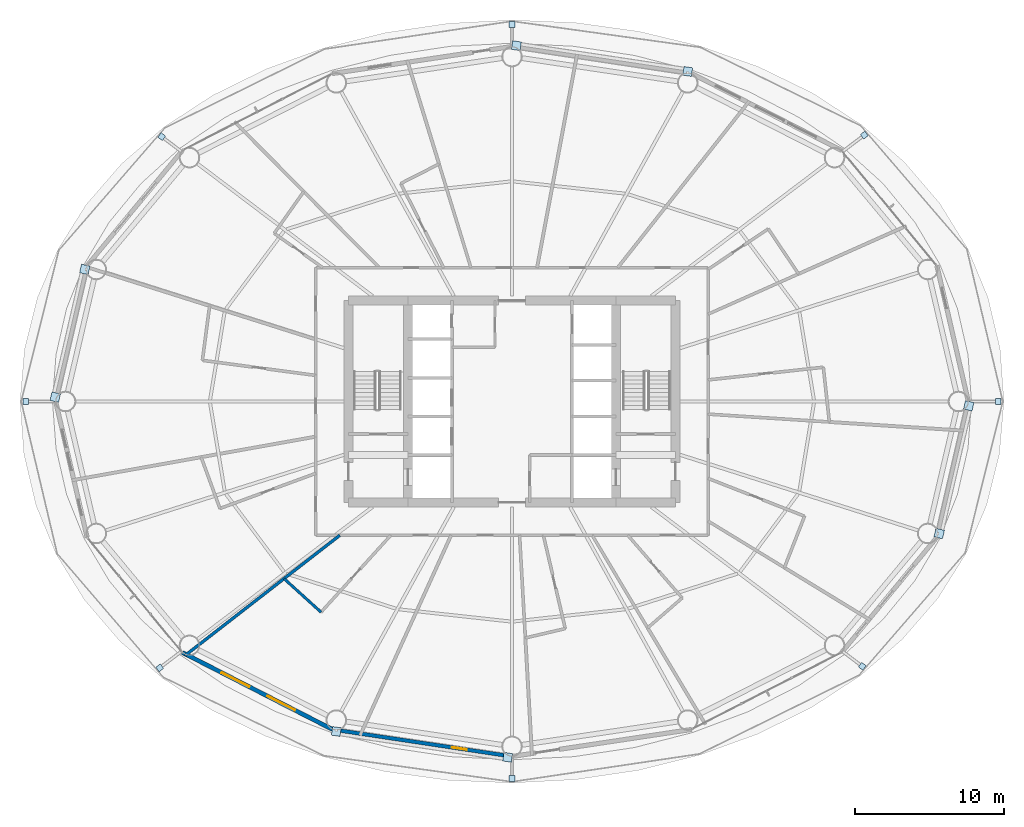
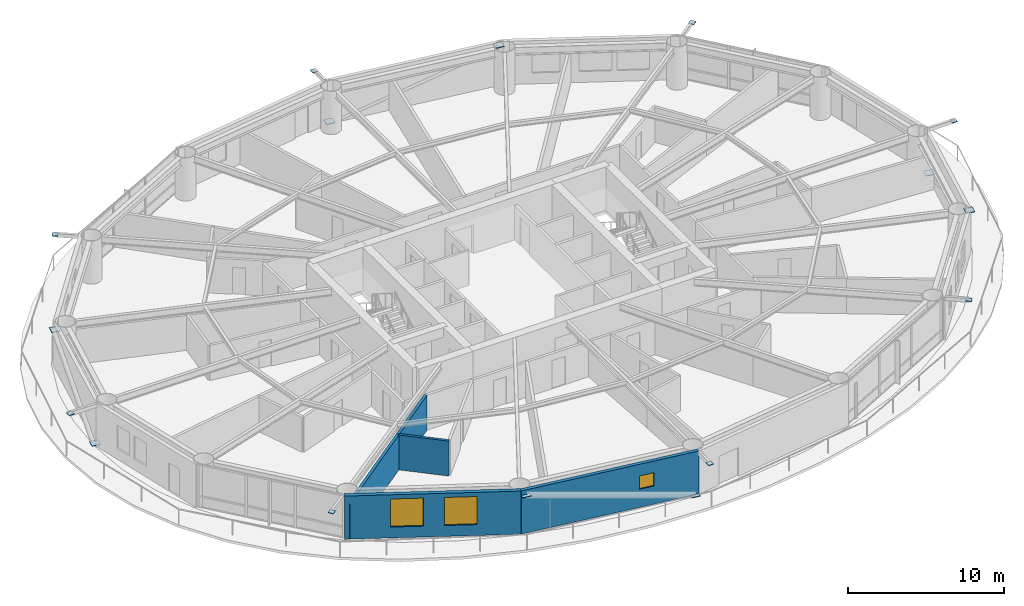
# One storey, part 19 of 26: 16 plates, 4 walls, 3 windows, 3 openings.
"""IFC4 building model written with IfcOpenShell, lengths in metres."""

from ifc_helpers import new_model, si_unit, direction, frame, frame_2d, origin, origin_2d, place, context, subcontext, project, spatial, rectangle, extrude, material, layer, layer_set, type_object, element, fill, save


model = new_model("IFC4")

# Units and contexts
model_context = context("Model", 3, precision=1e-05, world=origin(), true_north=direction((0.0, 1.0)))
body_context = subcontext(model_context, "Body", "Model", "MODEL_VIEW")
ifc_project = project(units=[si_unit("LENGTHUNIT", "METRE"), si_unit("AREAUNIT", "SQUARE_METRE"), si_unit("VOLUMEUNIT", "CUBIC_METRE"), si_unit("PLANEANGLEUNIT", "RADIAN"), si_unit("MASSUNIT", "GRAM", prefix="KILO")], contexts=[model_context])

# Site, building, storey
site_placement = place(None, origin())
site = spatial("IfcSite", under=ifc_project, at=site_placement, CompositionType="ELEMENT")
building_placement = place(site_placement, origin())
building = spatial("IfcBuilding", under=site, at=building_placement, Name="Sarneth Arch Tower", CompositionType="ELEMENT")
storey_placement = place(building_placement, frame((0.0, 0.0, 57.0)))
storey = spatial("IfcBuildingStorey", under=building, at=storey_placement, Name="L13", CompositionType="ELEMENT", Elevation=57.0)

# Plates
ifc_material_1 = material(Name="Steel S355", Category="steel")
ifc_layer_1 = layer(ifc_material_1, 0.035888671875)
ifc_layer_set_1 = layer_set([ifc_layer_1], Name="Steel S355")
plate_type = type_object("IfcPlateType", Name="PLT-GUSSET-30", PredefinedType="SHEET", material=ifc_layer_set_1)
for number, where, z_axis, x_axis, name in (
    (1, (80.721435546875, 42.0, 3.2021484375), (0.0, 0.0, 1.0), (1.0, 0.0, 0.0), "Steel end cap plate GP-1"),
    (2, (71.69873046875, 59.918701171875, 3.2021484375), (0.0, 0.0, 1.0), (0.797689196331, 0.603068773902, 0.0), "Steel end cap plate GP-1"),
):
    element("IfcPlate", number, at=place(storey_placement, frame(where, z_axis=z_axis, x_axis=x_axis)), inside=storey, type_object=plate_type, Name=name, PredefinedType="SHEET", context=body_context, shape_type="SweptSolid", body=[
        extrude(rectangle(XDim=0.3798828125, YDim=0.3798828125, at=origin_2d()), origin(), (0.0, 0.0, 1.0), 0.035888671875),
    ])
for number, where, z_axis, x_axis, name in (
    (3, (48.296630859375, 65.935302734375, 0.001953125), (0.0, 0.0, 1.0), (-0.98883454203, 0.149017611339, 0.0), "Steel end cap plate GP-1"),
    (4, (59.819580078125, 64.19921875, 2.98876953125), (0.0, 0.0, 1.0), (-0.98883454203, 0.149017611339, 0.0), "Steel end cap plate GP-1"),
):
    element("IfcPlate", number, at=place(storey_placement, frame(where, z_axis=z_axis, x_axis=x_axis)), inside=storey, type_object=plate_type, Name=name, PredefinedType="SHEET", context=body_context, shape_type="SweptSolid", body=[
        extrude(rectangle(XDim=0.587890625, YDim=0.587890625, at=origin_2d()), origin(), (0.0, 0.0, 1.0), 0.035888671875),
    ])
for number, where, z_axis, x_axis, name in (
    (5, (48.0, 67.363525390625, 3.2021484375), (0.0, 0.0, 1.0), (0.0, 1.0, 0.0), "Steel end cap plate GP-1"),
    (6, (24.436767578125, 59.816162109375, 3.2021484375), (0.0, 0.0, 1.0), (-0.797689196331, 0.603068773902, 0.0), "Steel end cap plate GP-1"),
):
    element("IfcPlate", number, at=place(storey_placement, frame(where, z_axis=z_axis, x_axis=x_axis)), inside=storey, type_object=plate_type, Name=name, PredefinedType="SHEET", context=body_context, shape_type="SweptSolid", body=[
        extrude(rectangle(XDim=0.3798828125, YDim=0.3798828125, at=origin_2d()), origin(), (0.0, 0.0, 1.0), 0.035888671875),
    ])
for number, where, z_axis, x_axis, name in (
    (7, (17.274658203125, 42.292236328125, 0.001953125), (0.0, 0.0, 1.0), (-0.225291159947, -0.974291482694, 0.0), "Steel end cap plate GP-1"),
    (8, (19.260986328125, 50.884521484375, 2.98876953125), (0.0, 0.0, 1.0), (-0.225291159947, -0.974291482694, 0.0), "Steel end cap plate GP-1"),
):
    element("IfcPlate", number, at=place(storey_placement, frame(where, z_axis=z_axis, x_axis=x_axis)), inside=storey, type_object=plate_type, Name=name, PredefinedType="SHEET", context=body_context, shape_type="SweptSolid", body=[
        extrude(rectangle(XDim=0.587890625, YDim=0.587890625, at=origin_2d()), origin(), (0.0, 0.0, 1.0), 0.035888671875),
    ])
for number, where, z_axis, x_axis, name in (
    (9, (15.278564453125, 42.0, 3.2021484375), (0.0, 0.0, 1.0), (-1.0, 0.0, 0.0), "Steel end cap plate GP-1"),
    (10, (24.30126953125, 24.081298828125, 3.2021484375), (0.0, 0.0, 1.0), (-0.797689196331, -0.603068773902, 0.0), "Steel end cap plate GP-1"),
):
    element("IfcPlate", number, at=place(storey_placement, frame(where, z_axis=z_axis, x_axis=x_axis)), inside=storey, type_object=plate_type, Name=name, PredefinedType="SHEET", context=body_context, shape_type="SweptSolid", body=[
        extrude(rectangle(XDim=0.3798828125, YDim=0.3798828125, at=origin_2d()), origin(), (0.0, 0.0, 1.0), 0.035888671875),
    ])
for number, where, z_axis, x_axis, name in (
    (11, (47.703369140625, 18.064697265625, 0.001953125), (0.0, 0.0, 1.0), (0.98883454203, -0.149017611339, 0.0), "Steel end cap plate GP-1"),
    (12, (36.180419921875, 19.80078125, 2.98876953125), (0.0, 0.0, 1.0), (0.98883454203, -0.149017611339, 0.0), "Steel end cap plate GP-1"),
):
    element("IfcPlate", number, at=place(storey_placement, frame(where, z_axis=z_axis, x_axis=x_axis)), inside=storey, type_object=plate_type, Name=name, PredefinedType="SHEET", context=body_context, shape_type="SweptSolid", body=[
        extrude(rectangle(XDim=0.587890625, YDim=0.587890625, at=origin_2d()), origin(), (0.0, 0.0, 1.0), 0.035888671875),
    ])
for number, where, z_axis, x_axis, name in (
    (13, (48.0, 16.636474609375, 3.2021484375), (0.0, 0.0, 1.0), (0.0, -1.0, 0.0), "Steel end cap plate GP-1"),
    (14, (71.563232421875, 24.183837890625, 3.2021484375), (0.0, 0.0, 1.0), (0.797689196331, -0.603068773902, 0.0), "Steel end cap plate GP-1"),
):
    element("IfcPlate", number, at=place(storey_placement, frame(where, z_axis=z_axis, x_axis=x_axis)), inside=storey, type_object=plate_type, Name=name, PredefinedType="SHEET", context=body_context, shape_type="SweptSolid", body=[
        extrude(rectangle(XDim=0.3798828125, YDim=0.3798828125, at=origin_2d()), origin(), (0.0, 0.0, 1.0), 0.035888671875),
    ])
for number, where, z_axis, x_axis, name in (
    (15, (78.725341796875, 41.707763671875, 0.001953125), (0.0, 0.0, 1.0), (0.225291159947, 0.974291482694, 0.0), "Steel end cap plate GP-1"),
    (16, (76.739013671875, 33.115478515625, 2.98876953125), (0.0, 0.0, 1.0), (0.225291159947, 0.974291482694, 0.0), "Steel end cap plate GP-1"),
):
    element("IfcPlate", number, at=place(storey_placement, frame(where, z_axis=z_axis, x_axis=x_axis)), inside=storey, type_object=plate_type, Name=name, PredefinedType="SHEET", context=body_context, shape_type="SweptSolid", body=[
        extrude(rectangle(XDim=0.587890625, YDim=0.587890625, at=origin_2d()), origin(), (0.0, 0.0, 1.0), 0.035888671875),
    ])

# Wall, opening, window
ifc_material_2 = material(Name="Extruded terracotta rainscreen on Concrete C40/50 backing", Category="masonry")
ifc_layer_2 = layer(ifc_material_2, 0.25)
ifc_layer_set_2 = layer_set([ifc_layer_2], Name="Extruded terracotta rainscreen on Concrete C40/50 backing")
wall_type_1 = type_object("IfcWallType", Name="WALL-EXT-SPAND-250", PredefinedType="SOLIDWALL", material=ifc_layer_set_2)
wall_1_placement = place(storey_placement, frame((35.922119140625, 19.937744140625, 0.0), z_axis=(0.0, 0.0, 1.0), x_axis=(0.988864835849, -0.148816452121, 0.0)))
wall_1 = element("IfcWall", 17, at=wall_1_placement, inside=storey, type_object=wall_type_1, Name="L13 Terracotta perimeter wall 12", PredefinedType="SOLIDWALL", context=body_context, shape_type="SweptSolid", body=[
    extrude(rectangle(XDim=12.2138671875, YDim=0.25, at=frame_2d((6.10693359375, 0.0))), origin(), (0.0, 0.0, 1.0), 3.3798828125),
])
opening_1_placement = place(wall_1_placement, frame((8.134521484375, 0.0, 1.419921875)))
opening_1 = element("IfcOpeningElement", 18, at=opening_1_placement, cuts=wall_1, Name="Opening W-14", PredefinedType="OPENING", context=body_context, shape_type="SweptSolid", body=[
    extrude(rectangle(XDim=1.0, YDim=1.050048828125, at=frame_2d((0.5, 0.52490234375))), frame((0.0, 0.135009765625, 0.0), z_axis=(0.0, -1.0, 0.0), x_axis=(1.0, 0.0, 0.0)), (0.0, 0.0, 1.0), 0.27001953125),
])
ifc_material_3 = material(Name="Thermally broken Aluminium 6063-T6 and low-e laminated IGU", Category="aluminium")
window_type_1 = type_object("IfcWindowType", Name="WIN-TWR-1000x1050", PartitioningType="SINGLE_PANEL", PredefinedType="WINDOW", material=ifc_material_3)
window_1_placement = place(opening_1_placement, origin())
window_1 = element("IfcWindow", 19, at=window_1_placement, inside=storey, type_object=window_type_1, Name="L13 Dwelling bedroom window 01", OverallHeight=1.050048828125, OverallWidth=1.0, PartitioningType="SINGLE_PANEL", PredefinedType="WINDOW", context=body_context, shape_type="SweptSolid", body=[
    extrude(rectangle(XDim=1.0, YDim=1.050048828125, at=frame_2d((0.5, 0.52490234375))), frame((0.0, 0.030029296875, 0.0), z_axis=(0.0, -1.0, 0.0), x_axis=(1.0, 0.0, 0.0)), (0.0, 0.0, 1.0), 0.06005859375),
])
fill(opening_1, window_1)

# Wall, openings, windows
ifc_material_4 = material(Name="Extruded terracotta rainscreen on Concrete C40/50 backing", Category="masonry")
ifc_layer_3 = layer(ifc_material_4, 0.280029296875)
ifc_layer_set_3 = layer_set([ifc_layer_3], Name="Extruded terracotta rainscreen on Concrete C40/50 backing")
wall_type_2 = type_object("IfcWallType", Name="WALL-EXT-TERRA-280", PredefinedType="SOLIDWALL", material=ifc_layer_set_3)
wall_2_placement = place(storey_placement, frame((25.825927734375, 25.1142578125, 0.0), z_axis=(0.0, 0.0, 1.0), x_axis=(0.889853976658, -0.456245438581, 0.0)))
wall_2 = element("IfcWall", 20, at=wall_2_placement, inside=storey, type_object=wall_type_2, Name="L13 Terracotta perimeter wall 11", PredefinedType="SOLIDWALL", context=body_context, shape_type="SweptSolid", body=[
    extrude(rectangle(XDim=11.345947265625, YDim=0.280029296875, at=frame_2d((5.6728515625, 0.0))), origin(), (0.0, 0.0, 1.0), 3.3798828125),
])
opening_2_placement = place(wall_2_placement, frame((2.96728515625, 0.0, 0.85009765625)))
opening_2 = element("IfcOpeningElement", 21, at=opening_2_placement, cuts=wall_2, Name="Opening W-03", PredefinedType="OPENING", context=body_context, shape_type="SweptSolid", body=[
    extrude(rectangle(XDim=2.10009765625, YDim=2.199951171875, at=frame_2d((1.050048828125, 1.10009765625))), frame((0.0, 0.14990234375, 0.0), z_axis=(0.0, -1.0, 0.0), x_axis=(1.0, 0.0, 0.0)), (0.0, 0.0, 1.0), 0.300048828125),
])
opening_3_placement = place(wall_2_placement, frame((6.428955078125, 0.0, 0.85009765625)))
opening_3 = element("IfcOpeningElement", 22, at=opening_3_placement, cuts=wall_2, Name="Opening W-03", PredefinedType="OPENING", context=body_context, shape_type="SweptSolid", body=[
    extrude(rectangle(XDim=2.10009765625, YDim=2.199951171875, at=frame_2d((1.050048828125, 1.10009765625))), frame((0.0, 0.14990234375, 0.0), z_axis=(0.0, -1.0, 0.0), x_axis=(1.0, 0.0, 0.0)), (0.0, 0.0, 1.0), 0.300048828125),
])
ifc_material_5 = material(Name="Thermally broken Aluminium 6063-T6 and low-e laminated IGU", Category="aluminium")
window_type_2 = type_object("IfcWindowType", Name="WIN-TWR-2100x2200", PartitioningType="DOUBLE_PANEL_VERTICAL", PredefinedType="WINDOW", material=ifc_material_5)
window_2_placement = place(opening_2_placement, origin())
window_2 = element("IfcWindow", 23, at=window_2_placement, inside=storey, type_object=window_type_2, Name="L13 Exterior window 11A", OverallHeight=2.199951171875, OverallWidth=2.10009765625, PartitioningType="SINGLE_PANEL", PredefinedType="WINDOW", context=body_context, shape_type="SweptSolid", body=[
    extrude(rectangle(XDim=2.10009765625, YDim=2.199951171875, at=frame_2d((1.050048828125, 1.10009765625))), frame((0.0, 0.030029296875, 0.0), z_axis=(0.0, -1.0, 0.0), x_axis=(1.0, 0.0, 0.0)), (0.0, 0.0, 1.0), 0.06005859375),
])
fill(opening_2, window_2)
window_3_placement = place(opening_3_placement, origin())
window_3 = element("IfcWindow", 24, at=window_3_placement, inside=storey, type_object=window_type_2, Name="L13 Exterior window 11B", OverallHeight=2.199951171875, OverallWidth=2.10009765625, PartitioningType="SINGLE_PANEL", PredefinedType="WINDOW", context=body_context, shape_type="SweptSolid", body=[
    extrude(rectangle(XDim=2.10009765625, YDim=2.199951171875, at=frame_2d((1.050048828125, 1.10009765625))), frame((0.0, 0.030029296875, 0.0), z_axis=(0.0, -1.0, 0.0), x_axis=(1.0, 0.0, 0.0)), (0.0, 0.0, 1.0), 0.06005859375),
])
fill(opening_3, window_3)

# Walls
ifc_material_6 = material(Name="Moisture-resistant plumbing chase wall", Category="gypsum")
ifc_layer_4 = layer(ifc_material_6, 0.179931640625)
ifc_layer_set_4 = layer_set([ifc_layer_4], Name="Moisture-resistant plumbing chase wall")
wall_type_3 = type_object("IfcWallType", Name="WALL-PLUMB-180", PredefinedType="PLUMBINGWALL", material=ifc_layer_set_4)
wall_3_placement = place(storey_placement, frame((32.66357421875, 30.083984375, 0.0), z_axis=(0.0, 0.0, 1.0), x_axis=(0.740964368308, -0.67154434321, 0.0)))
element("IfcWall", 25, at=wall_3_placement, inside=storey, type_object=wall_type_3, Name="L13 Interior partition W-L13-TP-052", PredefinedType="PLUMBINGWALL", context=body_context, shape_type="SweptSolid", body=[
    extrude(rectangle(XDim=3.362060546875, YDim=0.179931640625, at=frame_2d((1.68115234375, 0.0))), origin(), (0.0, 0.0, 1.0), 2.739990234375),
])
ifc_material_7 = material(Name="Double steel-stud acoustic drywall", Category="steel")
ifc_layer_5 = layer(ifc_material_7, 0.199951171875)
ifc_layer_set_5 = layer_set([ifc_layer_5], Name="Double steel-stud acoustic drywall")
wall_type_4 = type_object("IfcWallType", Name="WALL-UNIT-200", PredefinedType="PARTITIONING", material=ifc_layer_set_5)
wall_4_placement = place(storey_placement, frame((36.41650390625, 33.0, 0.0), z_axis=(0.0, 0.0, 1.0), x_axis=(-0.789656987139, -0.613548565855, 0.0)))
element("IfcWall", 26, at=wall_4_placement, inside=storey, type_object=wall_type_4, Name="L13 Interior partition W-L13-TP-050", PredefinedType="PARTITIONING", context=body_context, shape_type="SweptSolid", body=[
    extrude(rectangle(XDim=13.19482421875, YDim=0.199951171875, at=frame_2d((6.597412109375, 0.0))), origin(), (0.0, 0.0, 1.0), 2.739990234375),
])

save(model, "model.ifc")
